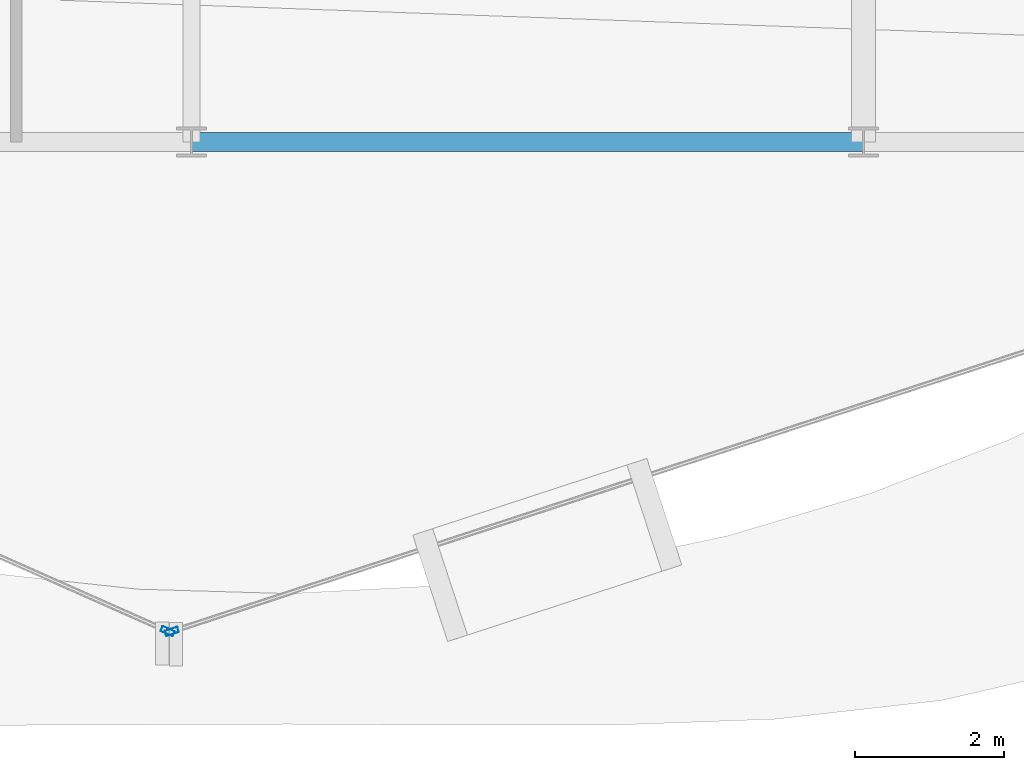
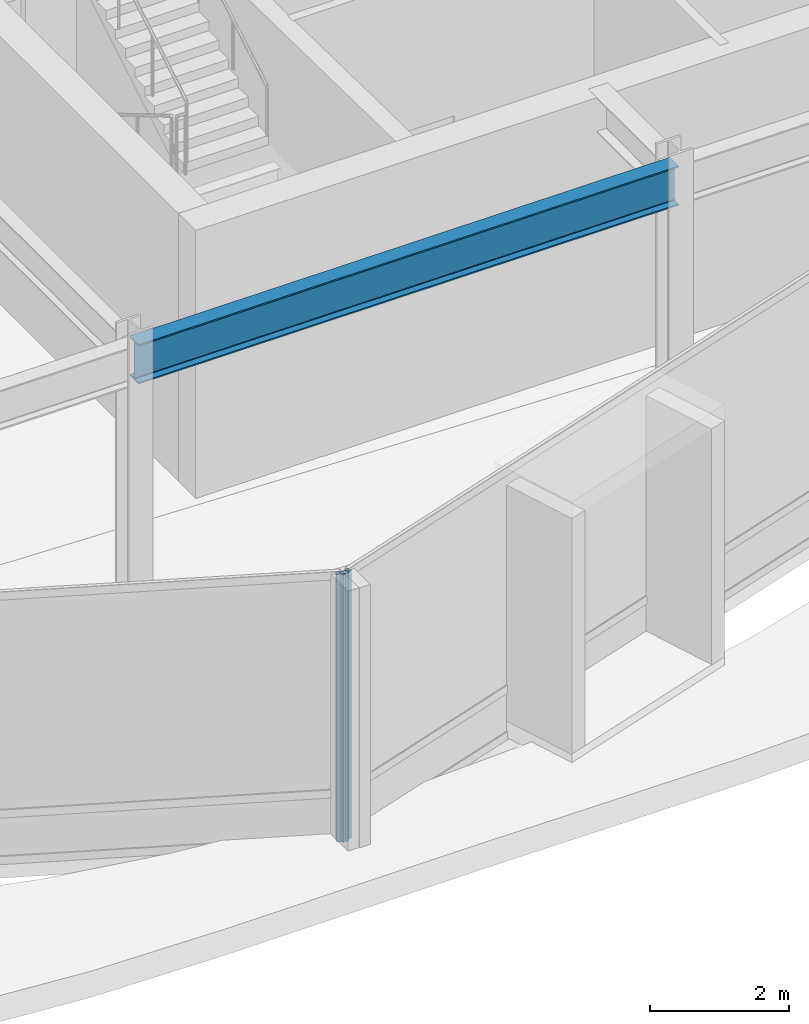
# One storey, part 4 of 28: 2 members, 1 beam, 2 elements without a shape of their own.
"""IFC4 building model written with IfcOpenShell, lengths in metres."""

import ifcopenshell
import ifcopenshell.guid

model = None  # the IFC model being written
_history = None  # IfcOwnerHistory: only IFC2X3 demands one
_inside = {}  # id of a spatial element -> (the spatial element, [elements in it])
_under = {}  # id of a project, library or spatial element -> (it, [spatial elements below it])
_declared = {}  # id of a project -> (the project, [libraries it declares])
_typed = {}  # id of a type object -> (the type object, [elements of that type])
_made_of = {}  # id of a material, layer set ... -> (it, [elements and type objects made of it])


def new_model(schema):
    """Start an empty IFC model of exactly this schema.

    Asked for "IFC4X3", IfcOpenShell would pick the latest addendum, in which some entities
    have other attributes; the version numbers below select the first issue.
    IFC2X3 requires an IfcOwnerHistory on every rooted entity: one is made here for all.
    """
    global model, _history
    if schema == "IFC4X3":
        model = ifcopenshell.file(schema_version=(4, 3, 0, 0))
    else:
        model = ifcopenshell.file(schema=schema)
    _inside.clear()
    _under.clear()
    _declared.clear()
    _typed.clear()
    _made_of.clear()
    _history = None
    if model.schema == "IFC2X3":
        org = make("IfcOrganization", Name="unknown")
        user = make(
            "IfcPersonAndOrganization",
            ThePerson=make("IfcPerson", FamilyName="unknown"),
            TheOrganization=org,
        )
        app = make(
            "IfcApplication",
            ApplicationDeveloper=org,
            Version="unknown",
            ApplicationFullName="unknown",
            ApplicationIdentifier="unknown",
        )
        _history = make(
            "IfcOwnerHistory",
            OwningUser=user,
            OwningApplication=app,
            ChangeAction="ADDED",
            CreationDate=0,
        )
    return model


def make(cls, **values):
    """One entity of the class cls with the attributes given. An attribute that is None is left unset."""
    return model.create_entity(
        cls, **{name: value for name, value in values.items() if value is not None}
    )


def rooted(cls, **values):
    """An entity with a GlobalId (a new one), such as an element, a storey or a relation."""
    return make(cls, GlobalId=ifcopenshell.guid.new(), OwnerHistory=_history, **values)


def si_unit(unit_type, name, prefix=None):
    """IfcSIUnit, for example si_unit("LENGTHUNIT", "METRE", prefix="MILLI")."""
    return make("IfcSIUnit", UnitType=unit_type, Prefix=prefix, Name=name)


def assignment(units):
    """IfcUnitAssignment: the units of a project."""
    return None if units is None else make("IfcUnitAssignment", Units=units)


def point(xyz):
    """IfcCartesianPoint."""
    return None if xyz is None else make("IfcCartesianPoint", Coordinates=xyz)


def direction(xyz):
    """IfcDirection."""
    return None if xyz is None else make("IfcDirection", DirectionRatios=xyz)


def frame(location, z_axis=None, x_axis=None):
    """IfcAxis2Placement3D, a coordinate frame: its origin and axes. An axis left out is left unset."""
    return make(
        "IfcAxis2Placement3D",
        Location=point(location),
        Axis=direction(z_axis),
        RefDirection=direction(x_axis),
    )


def frame_2d(location, x_axis=None):
    """IfcAxis2Placement2D, a coordinate frame in the plane: its origin and x axis."""
    return make(
        "IfcAxis2Placement2D", Location=point(location), RefDirection=direction(x_axis)
    )


def origin():
    """The frame at (0, 0, 0) with its axes left unset."""
    return frame((0.0, 0.0, 0.0))


def origin_2d():
    """The frame at (0, 0) in the plane with its x axis left unset."""
    return frame_2d((0.0, 0.0))


def place(relative_to, where):
    """IfcLocalPlacement: puts the frame where relative to a parent placement (None: the world)."""
    return make(
        "IfcLocalPlacement", PlacementRelTo=relative_to, RelativePlacement=where
    )


def context(
    kind, dimensions, precision=None, world=None, true_north=None, identifier=None
):
    """IfcGeometricRepresentationContext, for example the 3D "Model" context."""
    return make(
        "IfcGeometricRepresentationContext",
        ContextIdentifier=identifier,
        ContextType=kind,
        CoordinateSpaceDimension=dimensions,
        Precision=precision,
        WorldCoordinateSystem=world,
        TrueNorth=true_north,
    )


def subcontext(parent, identifier, kind, view, scale=None):
    """IfcGeometricRepresentationSubContext, for example "Body" below "Model"."""
    return make(
        "IfcGeometricRepresentationSubContext",
        ContextIdentifier=identifier,
        ContextType=kind,
        ParentContext=parent,
        TargetScale=scale,
        TargetView=view,
    )


def project(units=None, contexts=None):
    """IfcProject with its units and contexts."""
    return rooted(
        "IfcProject",
        Name="project",
        RepresentationContexts=contexts,
        UnitsInContext=assignment(units),
    )


def spatial(cls, under=None, at=None, **own):
    """A site, building, storey or space (cls), placed at a placement, below another one or the project."""
    s = rooted(cls, ObjectPlacement=at, **own)
    if under is not None:
        _under.setdefault(under.id(), (under, []))[1].append(s)
    return s


def profile(cls, at=None, kind="AREA", **sizes):
    """A parametric profile (cls). Its sizes go by their IFC names, for example OverallWidth=200.0."""
    return make(cls, ProfileType=kind, Position=at, **sizes)


def hollow_rectangle(**sizes):
    """IfcRectangleHollowProfileDef."""
    return profile("IfcRectangleHollowProfileDef", **sizes)


def i_section(**sizes):
    """IfcIShapeProfileDef."""
    return profile("IfcIShapeProfileDef", **sizes)


def extrude(swept, where, along, depth):
    """IfcExtrudedAreaSolid: the profile swept, set in the frame where, extruded along a direction by depth."""
    return make(
        "IfcExtrudedAreaSolid",
        SweptArea=swept,
        Position=where,
        ExtrudedDirection=direction(along),
        Depth=depth,
    )


def shape(context_of_items, identifier, shape_type, items):
    """IfcShapeRepresentation: the items that make up one representation, for example the "Body"."""
    return make(
        "IfcShapeRepresentation",
        ContextOfItems=context_of_items,
        RepresentationIdentifier=identifier,
        RepresentationType=shape_type,
        Items=items,
    )


def material(Name=None, Category=None):
    """IfcMaterial."""
    return make("IfcMaterial", Name=Name, Category=Category)


def layer(
    of_material, thickness, ventilated=None, Name=None, Category=None, Priority=None
):
    """IfcMaterialLayer: one layer of a wall or slab, of a material (None: an air gap)."""
    return make(
        "IfcMaterialLayer",
        Material=of_material,
        LayerThickness=thickness,
        IsVentilated=ventilated,
        Name=Name,
        Category=Category,
        Priority=Priority,
    )


def layer_set(layers, Name=None):
    """IfcMaterialLayerSet."""
    return make("IfcMaterialLayerSet", MaterialLayers=layers, LayerSetName=Name)


def material_profile(
    of_material, cross_section, Name=None, Category=None, Priority=None
):
    """IfcMaterialProfile: a cross section and its material."""
    return make(
        "IfcMaterialProfile",
        Name=Name,
        Material=of_material,
        Profile=cross_section,
        Priority=Priority,
        Category=Category,
    )


def profile_set(profiles, Name=None, composite=None):
    """IfcMaterialProfileSet."""
    return make(
        "IfcMaterialProfileSet",
        Name=Name,
        MaterialProfiles=profiles,
        CompositeProfile=composite,
    )


def made_of(thing, what):
    """Note that an element or type object is made of a material, layer set ...; save() writes the relation."""
    if what is not None:
        _made_of.setdefault(what.id(), (what, []))[1].append(thing)
    return thing


def type_object(cls, material=None, **own):
    """A type object (cls), such as IfcWallType, which elements share."""
    return made_of(rooted(cls, **own), material)


def element(
    cls,
    number,
    at=None,
    inside=None,
    cuts=None,
    type_object=None,
    material=None,
    context=None,
    identifier="Body",
    shape_type=None,
    held_by="IfcProductDefinitionShape",
    body=None,
    shapes=None,
    **own,
):
    """One element of the class cls, such as IfcWall. Its Tag is "e" and its number.

    at: its placement. inside: the storey or other place that contains it. cuts: it is an
    opening in that element (IfcRelVoidsElement). A single representation is given by context,
    identifier, shape_type and body (its items); several are given by shapes. held_by: the class
    of the entity that holds the representations. save() writes the other relations.
    """
    e = rooted(cls, Tag="e%d" % number, ObjectPlacement=at, **own)
    if body is not None:
        shapes = [shape(context, identifier, shape_type, body)]
    if shapes is not None:
        e.Representation = make(held_by, Representations=shapes)
    if inside is not None:
        _inside.setdefault(inside.id(), (inside, []))[1].append(e)
    if cuts is not None:
        rooted(
            "IfcRelVoidsElement", RelatingBuildingElement=cuts, RelatedOpeningElement=e
        )
    if type_object is not None:
        _typed.setdefault(type_object.id(), (type_object, []))[1].append(e)
    return made_of(e, material)


def aggregate(whole, parts):
    """IfcRelAggregates: a whole, such as a stair, and the parts it consists of."""
    return rooted("IfcRelAggregates", RelatingObject=whole, RelatedObjects=parts)


def save(model, path):
    """Write the relations noted so far, then the file.

    IfcRelAggregates (storeys below a building ...), IfcRelContainedInSpatialStructure (elements
    in a storey), IfcRelDefinesByType, IfcRelAssociatesMaterial and IfcRelDeclares: one each for
    every whole, place, type object, material and project.
    """
    for whole, parts in _under.values():
        aggregate(whole, parts)
    for where, things in _inside.values():
        rooted(
            "IfcRelContainedInSpatialStructure",
            RelatedElements=things,
            RelatingStructure=where,
        )
    for kind, things in _typed.values():
        rooted("IfcRelDefinesByType", RelatedObjects=things, RelatingType=kind)
    for what, things in _made_of.values():
        rooted("IfcRelAssociatesMaterial", RelatedObjects=things, RelatingMaterial=what)
    for by, libraries in _declared.values():
        rooted("IfcRelDeclares", RelatingContext=by, RelatedDefinitions=libraries)
    model.write(path)


model = new_model("IFC4")

# Units and contexts
model_context = context("Model", 3, precision=1e-05, world=origin(), true_north=direction((0.0, 1.0)))
body_context = subcontext(model_context, "Body", "Model", "MODEL_VIEW")
ifc_project = project(units=[si_unit("LENGTHUNIT", "METRE"), si_unit("AREAUNIT", "SQUARE_METRE"), si_unit("VOLUMEUNIT", "CUBIC_METRE"), si_unit("PLANEANGLEUNIT", "RADIAN"), si_unit("MASSUNIT", "GRAM", prefix="KILO")], contexts=[model_context])

# Site, building, storey
site_placement = place(None, origin())
site = spatial("IfcSite", under=ifc_project, at=site_placement, CompositionType="ELEMENT")
building_placement = place(site_placement, origin())
building = spatial("IfcBuilding", under=site, at=building_placement, Name="Solvaryn Broadcast Tower", CompositionType="ELEMENT")
storey_placement = place(building_placement, frame((0.0, 0.0, 201.199951171875)))
storey = spatial("IfcBuildingStorey", under=building, at=storey_placement, Name="L50", CompositionType="ELEMENT", Elevation=201.199951171875)

# Beam
ifc_material_1 = material(Name="Steel ASTM A992 Grade 50", Category="steel")
ifc_material_profile_1 = material_profile(ifc_material_1, i_section(OverallWidth=0.256103515625, OverallDepth=0.693115234375, WebThickness=0.014404296875, FlangeThickness=0.023681640625, FilletRadius=0.01611328125, at=origin_2d()))
ifc_profile_set_1 = profile_set([ifc_material_profile_1], Name="Steel ASTM A992 Grade 50")
beam_type = type_object("IfcBeamType", Name="BM-SP3-W27X114", PredefinedType="USERDEFINED", material=ifc_profile_set_1)
beam_placement = place(storey_placement, frame((27.0, 9.0, 4.37353515625), z_axis=(1.0, 0.0, 0.0), x_axis=(0.0, 1.0, 0.0)))
element("IfcBeam", 1, at=beam_placement, inside=storey, type_object=beam_type, Name="L50 Spandrel Beam X (27-36 @ Y=9)", ObjectType="SPANDREL", PredefinedType="USERDEFINED", context=body_context, shape_type="SweptSolid", body=[
    extrude(i_section(OverallWidth=0.256103515625, OverallDepth=0.693115234375, WebThickness=0.014404296875, FlangeThickness=0.023681640625, FilletRadius=0.01611328125, at=origin_2d()), origin(), (0.0, 0.0, 1.0), 9.0),
])

# Curtain wall, member
ifc_material_2 = material(Name="Aluminium and Terracotta Unitised Curtain Wall", Category="masonry")
ifc_layer = layer(ifc_material_2, 0.199951171875)
ifc_layer_set = layer_set([ifc_layer], Name="CW-SYS2-LOWMID")
curtain_wall_type = type_object("IfcCurtainWallType", Name="CW-SYS2-LOWMID", PredefinedType="NOTDEFINED", material=ifc_layer_set)
curtain_wall_1_placement = place(storey_placement, origin())
curtain_wall_1 = element("IfcCurtainWall", 2, at=curtain_wall_1_placement, inside=storey, type_object=curtain_wall_type, Name="L50 Curtain Wall DR3", PredefinedType="NOTDEFINED")
ifc_material_3 = material(Name="Anodised Aluminium 6063-T6", Category="aluminium")
ifc_material_profile_2 = material_profile(ifc_material_3, hollow_rectangle(XDim=0.074951171875, YDim=0.179931640625, WallThickness=0.00390625, InnerFilletRadius=0.00390625, OuterFilletRadius=0.008056640625, at=origin_2d()))
ifc_profile_set_2 = profile_set([ifc_material_profile_2], Name="Anodised Aluminium 6063-T6")
member_type = type_object("IfcMemberType", Name="CW-MUL-180", PredefinedType="MULLION", material=ifc_profile_set_2)
member_1_placement = place(storey_placement, frame((26.678466796875, 2.445068359375, 0.0), z_axis=(0.0, 0.0, 1.0), x_axis=(0.405901337237, 0.913916902365, 0.0)))
member_1 = element("IfcMember", 3, at=member_1_placement, type_object=member_type, Name="CWS2 mullion 2", PredefinedType="MULLION", context=body_context, shape_type="SweptSolid", body=[
    extrude(hollow_rectangle(XDim=0.074951171875, YDim=0.179931640625, WallThickness=0.00390625, InnerFilletRadius=0.00390625, OuterFilletRadius=0.008056640625, at=origin_2d()), origin(), (0.0, 0.0, 1.0), 4.719970703125),
])
aggregate(curtain_wall_1, [member_1])

curtain_wall_2_placement = place(storey_placement, origin())
curtain_wall_2 = element("IfcCurtainWall", 4, at=curtain_wall_2_placement, inside=storey, type_object=curtain_wall_type, Name="L50 Curtain Wall DR4", PredefinedType="NOTDEFINED")
member_2_placement = place(storey_placement, frame((26.734619140625, 2.4423828125, 0.0), z_axis=(0.0, 0.0, 1.0), x_axis=(-0.311558717623, 0.950226902099, 0.0)))
member_2 = element("IfcMember", 5, at=member_2_placement, type_object=member_type, Name="CWS2 mullion 1", PredefinedType="MULLION", context=body_context, shape_type="SweptSolid", body=[
    extrude(hollow_rectangle(XDim=0.074951171875, YDim=0.179931640625, WallThickness=0.00390625, InnerFilletRadius=0.00390625, OuterFilletRadius=0.008056640625, at=origin_2d()), origin(), (0.0, 0.0, 1.0), 4.719970703125),
])
aggregate(curtain_wall_2, [member_2])

save(model, "model.ifc")
